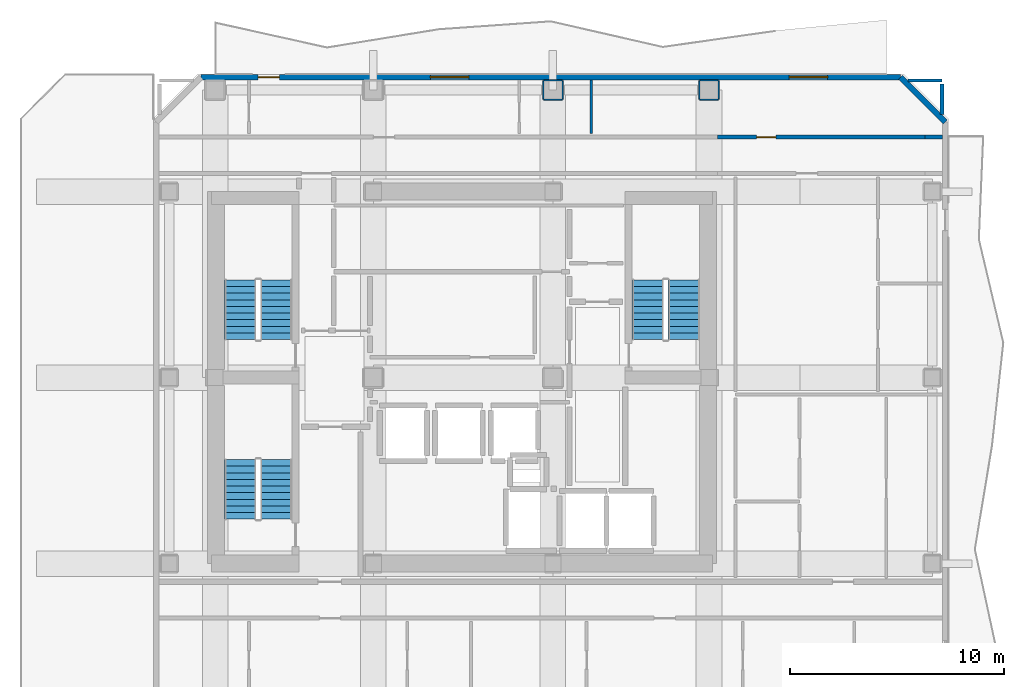
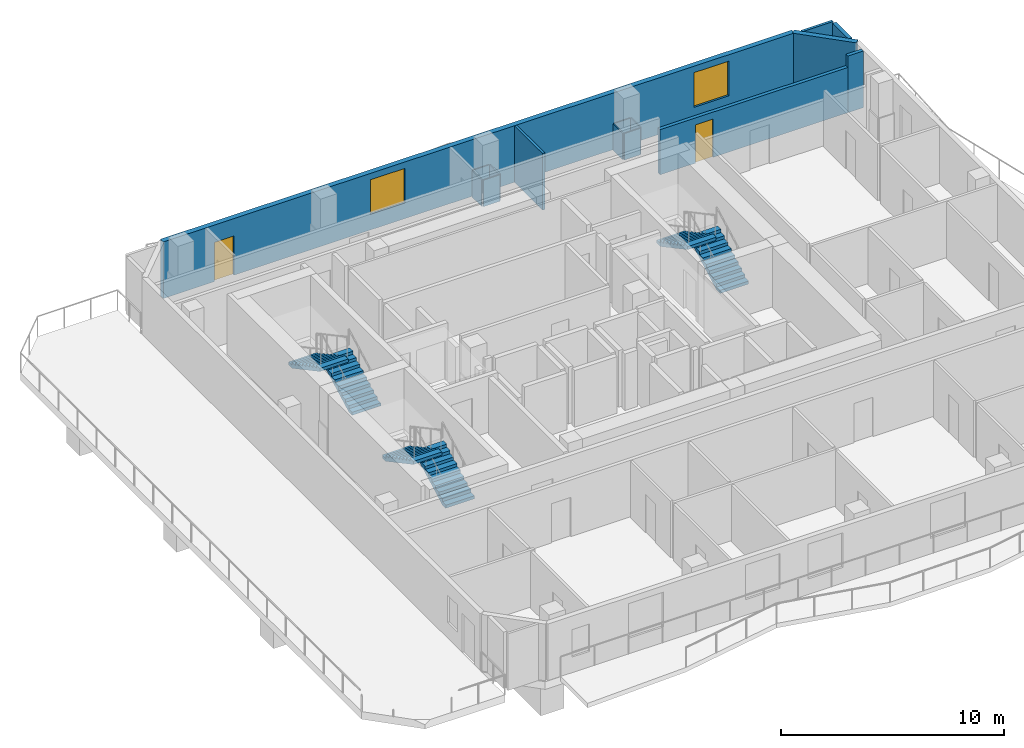
# One storey, part 6 of 10: 15 walls, 6 stair flights, 2 doors, 2 windows, 4 openings, 3 elements without a shape of their own.
"""IFC4 building model written with IfcOpenShell, lengths in metres."""

from ifc_helpers import new_model, si_unit, direction, frame, frame_2d, origin, place, context, subcontext, project, spatial, polyline, rectangle, outline, extrude, material, layer, layer_set, type_object, element, fill, aggregate, save


model = new_model("IFC4")

# Units and contexts
model_context = context("Model", 3, precision=1e-05, world=origin(), true_north=direction((0.0, 1.0)))
body_context = subcontext(model_context, "Body", "Model", "MODEL_VIEW")
ifc_project = project(units=[si_unit("LENGTHUNIT", "METRE"), si_unit("AREAUNIT", "SQUARE_METRE"), si_unit("VOLUMEUNIT", "CUBIC_METRE"), si_unit("PLANEANGLEUNIT", "RADIAN"), si_unit("MASSUNIT", "GRAM", prefix="KILO")], contexts=[model_context])

# Site, building, storey
site_placement = place(None, origin())
site = spatial("IfcSite", under=ifc_project, at=site_placement, CompositionType="ELEMENT")
building_placement = place(site_placement, origin())
building = spatial("IfcBuilding", under=site, at=building_placement, Name="Solanera Arch Residences", CompositionType="ELEMENT")
storey_placement = place(building_placement, frame((0.0, 0.0, 210.080078125)))
storey = spatial("IfcBuildingStorey", under=building, at=storey_placement, Name="L61", CompositionType="ELEMENT", Elevation=210.080078125)

# Walls
ifc_material_1 = material(Name="Fire-Rated Gypsum Stud Partition", Category="gypsum")
ifc_layer_1 = layer(ifc_material_1, 0.06005859375)
ifc_layer_set_1 = layer_set([ifc_layer_1], Name="Fire-Rated Gypsum Stud Partition")
wall_type_1 = type_object("IfcWallType", Name="Column Acoustic Furring Wall 60", PredefinedType="PARTITIONING", material=ifc_layer_set_1)
for number, where, z_axis, x_axis, name in (
    (1, (28.77490234375, 43.693115234375, 0.0), (0.0, 0.0, 1.0), (1.0, 0.0, 0.0), "L61 Column Furring 14S"),
    (2, (28.77490234375, 44.60693359375, 0.0), (0.0, 0.0, 1.0), (1.0, 0.0, 0.0), "L61 Column Furring 14N"),
):
    element("IfcWall", number, at=place(storey_placement, frame(where, z_axis=z_axis, x_axis=x_axis)), inside=storey, type_object=wall_type_1, Name=name, PredefinedType="PARTITIONING", context=body_context, shape_type="SweptSolid", body=[
        extrude(rectangle(XDim=0.85009765625, YDim=0.06005859375, at=frame_2d((0.425048828125, 0.0))), origin(), (0.0, 0.0, 1.0), 1.449951171875),
    ])
for number, where, z_axis, x_axis, name in (
    (3, (28.742919921875, 43.72509765625, 0.0), (0.0, 0.0, 1.0), (0.0, 1.0, 0.0), "L61 Column Furring 14W"),
    (4, (29.656982421875, 43.72509765625, 0.0), (0.0, 0.0, 1.0), (0.0, 1.0, 0.0), "L61 Column Furring 14E"),
):
    element("IfcWall", number, at=place(storey_placement, frame(where, z_axis=z_axis, x_axis=x_axis)), inside=storey, type_object=wall_type_1, Name=name, PredefinedType="PARTITIONING", context=body_context, shape_type="SweptSolid", body=[
        extrude(rectangle(XDim=0.849853515625, YDim=0.06005859375, at=frame_2d((0.4248046875, 0.0))), origin(), (0.0, 0.0, 1.0), 1.449951171875),
    ])
for number, where, z_axis, x_axis, name in (
    (5, (36.074951171875, 43.693115234375, 0.0), (0.0, 0.0, 1.0), (1.0, 0.0, 0.0), "L61 Column Furring 16S"),
    (6, (36.074951171875, 44.60693359375, 0.0), (0.0, 0.0, 1.0), (1.0, 0.0, 0.0), "L61 Column Furring 16N"),
):
    element("IfcWall", number, at=place(storey_placement, frame(where, z_axis=z_axis, x_axis=x_axis)), inside=storey, type_object=wall_type_1, Name=name, PredefinedType="PARTITIONING", context=body_context, shape_type="SweptSolid", body=[
        extrude(rectangle(XDim=0.85009765625, YDim=0.06005859375, at=frame_2d((0.425048828125, 0.0))), origin(), (0.0, 0.0, 1.0), 1.449951171875),
    ])
for number, where, z_axis, x_axis, name in (
    (7, (36.04296875, 43.72509765625, 0.0), (0.0, 0.0, 1.0), (0.0, 1.0, 0.0), "L61 Column Furring 16W"),
    (8, (36.95703125, 43.72509765625, 0.0), (0.0, 0.0, 1.0), (0.0, 1.0, 0.0), "L61 Column Furring 16E"),
):
    element("IfcWall", number, at=place(storey_placement, frame(where, z_axis=z_axis, x_axis=x_axis)), inside=storey, type_object=wall_type_1, Name=name, PredefinedType="PARTITIONING", context=body_context, shape_type="SweptSolid", body=[
        extrude(rectangle(XDim=0.849853515625, YDim=0.06005859375, at=frame_2d((0.4248046875, 0.0))), origin(), (0.0, 0.0, 1.0), 1.449951171875),
    ])

# Wall, opening, door
ifc_material_2 = material(Name="Autoclaved Aerated Concrete Blockwork", Category="masonry")
ifc_layer_2 = layer(ifc_material_2, 0.179931640625)
ifc_layer_set_2 = layer_set([ifc_layer_2], Name="Autoclaved Aerated Concrete Blockwork")
wall_type_2 = type_object("IfcWallType", Name="Corridor Fire Partition 180", PredefinedType="PARTITIONING", material=ifc_layer_set_2)
wall_1_placement = place(storey_placement, frame((36.888916015625, 41.949951171875, 0.0), z_axis=(0.0, 0.0, 1.0), x_axis=(1.0, 0.0, 0.0)))
wall_1 = element("IfcWall", 9, at=wall_1_placement, inside=storey, type_object=wall_type_2, Name="L61 Interior Partition H12 2", PredefinedType="PARTITIONING", context=body_context, shape_type="SweptSolid", body=[
    extrude(rectangle(XDim=9.72216796875, YDim=0.179931640625, at=frame_2d((4.861083984375, 0.0))), origin(), (0.0, 0.0, 1.0), 2.476806640625),
])
opening_1_placement = place(wall_1_placement, frame((1.837890625, 0.0, 0.0)))
opening_1 = element("IfcOpeningElement", 10, at=opening_1_placement, cuts=wall_1, Name="Opening DI-02", PredefinedType="OPENING", context=body_context, shape_type="SweptSolid", body=[
    extrude(rectangle(XDim=0.89990234375, YDim=2.10009765625, at=frame_2d((0.449951171875, 1.050048828125))), frame((0.0, 0.10009765625, 0.0), z_axis=(0.0, -1.0, 0.0), x_axis=(1.0, 0.0, 0.0)), (0.0, 0.0, 1.0), 0.1999),
])
ifc_material_3 = material(Name="Fire-Rated Architectural Hardwood", Category="wood")
door_type_1 = type_object("IfcDoorType", Name="Suite Room Swing Door DI-02", OperationType="NOTDEFINED", PredefinedType="DOOR", material=ifc_material_3)
door_1_placement = place(opening_1_placement, origin())
door_1 = element("IfcDoor", 11, at=door_1_placement, inside=storey, type_object=door_type_1, Name="DR-L61-IN-029", OperationType="SINGLE_SWING_RIGHT", OverallHeight=2.10009765625, OverallWidth=0.89990234375, PredefinedType="DOOR", context=body_context, shape_type="SweptSolid", body=[
    extrude(rectangle(XDim=0.89990234375, YDim=2.10009765625, at=frame_2d((0.449951171875, 1.050048828125))), frame((0.0, 0.02490234375, 0.0), z_axis=(0.0, -1.0, 0.0), x_axis=(1.0, 0.0, 0.0)), (0.0, 0.0, 1.0), 0.050048828125),
])
fill(opening_1, door_1)

# Walls
wall_2_placement = place(storey_placement, frame((46.611083984375, 41.949951171875, 0.0), z_axis=(0.0, 0.0, 1.0), x_axis=(1.0, 0.0, 0.0)))
element("IfcWall", 12, at=wall_2_placement, inside=storey, type_object=wall_type_2, Name="L61 Interior Partition H12 3", PredefinedType="PARTITIONING", context=body_context, shape_type="SweptSolid", body=[
    extrude(rectangle(XDim=0.802001953125, YDim=0.179931640625, at=frame_2d((0.40087890625, 0.0))), origin(), (0.0, 0.0, 1.0), 3.099853515625),
])
wall_3_placement = place(storey_placement, frame((47.39990234375, 43.010986328125, 0.0), z_axis=(0.0, 0.0, 1.0), x_axis=(0.0, 1.0, 0.0)))
element("IfcWall", 13, at=wall_3_placement, inside=storey, type_object=wall_type_2, Name="L61 Interior Partition V10 2", PredefinedType="PARTITIONING", context=body_context, shape_type="SweptSolid", body=[
    extrude(rectangle(XDim=1.4208984375, YDim=0.179931640625, at=frame_2d((0.71044921875, 0.0))), origin(), (0.0, 0.0, 1.0), 3.099853515625),
])

# Wall, openings, door, windows
ifc_material_4 = material(Name="Precast Concrete C35/45", Category="concrete")
ifc_layer_3 = layer(ifc_material_4, 0.260009765625)
ifc_layer_set_3 = layer_set([ifc_layer_3], Name="Precast Concrete C35/45")
wall_type_3 = type_object("IfcWallType", Name="Exterior Wall Precast Masonry-Frame 260", PredefinedType="STANDARD", material=ifc_layer_set_3)
wall_4_placement = place(storey_placement, frame((12.7451171875, 44.7548828125, 0.0), z_axis=(0.0, 0.0, 1.0), x_axis=(1.0, 0.0, 0.0)))
wall_4 = element("IfcWall", 14, at=wall_4_placement, inside=storey, type_object=wall_type_3, Name="L61 Tower Exterior Precast Masonry-Frame Wall N", PredefinedType="STANDARD", context=body_context, shape_type="SweptSolid", body=[
    extrude(rectangle(XDim=32.7099609375, YDim=0.260009765625, at=frame_2d((16.35498046875, 0.0))), origin(), (0.0, 0.0, 1.0), 3.099853515625),
])
opening_2_placement = place(wall_4_placement, frame((2.6650390625, 0.0, 0.0)))
opening_2 = element("IfcOpeningElement", 15, at=opening_2_placement, cuts=wall_4, Name="Opening DB-01", PredefinedType="OPENING", context=body_context, shape_type="SweptSolid", body=[
    extrude(rectangle(XDim=1.0, YDim=2.14990234375, at=frame_2d((0.5, 1.074951171875))), frame((0.0, 0.139892578125, 0.0), z_axis=(0.0, -1.0, 0.0), x_axis=(1.0, 0.0, 0.0)), (0.0, 0.0, 1.0), 0.28),
])
opening_3_placement = place(wall_4_placement, frame((10.72802734375, 0.0, 0.85009765625)))
opening_3 = element("IfcOpeningElement", 16, at=opening_3_placement, cuts=wall_4, Name="Opening W-03", PredefinedType="OPENING", context=body_context, shape_type="SweptSolid", body=[
    extrude(rectangle(XDim=1.800048828125, YDim=1.89990234375, at=frame_2d((0.89990234375, 0.949951171875))), frame((0.0, 0.139892578125, 0.0), z_axis=(0.0, -1.0, 0.0), x_axis=(1.0, 0.0, 0.0)), (0.0, 0.0, 1.0), 0.28),
])
opening_4_placement = place(wall_4_placement, frame((27.5, 0.0, 0.85009765625)))
opening_4 = element("IfcOpeningElement", 17, at=opening_4_placement, cuts=wall_4, Name="Opening W-03", PredefinedType="OPENING", context=body_context, shape_type="SweptSolid", body=[
    extrude(rectangle(XDim=1.800048828125, YDim=1.89990234375, at=frame_2d((0.89990234375, 0.949951171875))), frame((0.0, 0.139892578125, 0.0), z_axis=(0.0, -1.0, 0.0), x_axis=(1.0, 0.0, 0.0)), (0.0, 0.0, 1.0), 0.28),
])
ifc_material_5 = material(Name="Anodised Aluminium Alloy 6063-T6", Category="aluminium")
door_type_2 = type_object("IfcDoorType", Name="Glazed Balcony Swing Door DB-01", OperationType="NOTDEFINED", PredefinedType="DOOR", material=ifc_material_5)
door_2_placement = place(opening_2_placement, origin())
door_2 = element("IfcDoor", 18, at=door_2_placement, inside=storey, type_object=door_type_2, Name="DR-L61-OUT-03", OperationType="SINGLE_SWING_LEFT", OverallHeight=2.14990234375, OverallWidth=1.0, PredefinedType="DOOR", context=body_context, shape_type="SweptSolid", body=[
    extrude(rectangle(XDim=1.0, YDim=2.14990234375, at=frame_2d((0.5, 1.074951171875))), frame((0.0, 0.02490234375, 0.0), z_axis=(0.0, -1.0, 0.0), x_axis=(1.0, 0.0, 0.0)), (0.0, 0.0, 1.0), 0.050048828125),
])
fill(opening_2, door_2)
ifc_material_6 = material(Name="Double Glazed Low-E Laminated Glass", Category="glass")
window_type = type_object("IfcWindowType", Name="Punched Window W-03", PartitioningType="DOUBLE_PANEL_VERTICAL", PredefinedType="WINDOW", material=ifc_material_6)
window_1_placement = place(opening_3_placement, origin())
window_1 = element("IfcWindow", 19, at=window_1_placement, inside=storey, type_object=window_type, Name="L61 6103-LIV Punched Window", OverallHeight=1.89990234375, OverallWidth=1.800048828125, PartitioningType="SINGLE_PANEL", PredefinedType="WINDOW", context=body_context, shape_type="SweptSolid", body=[
    extrude(rectangle(XDim=1.800048828125, YDim=1.89990234375, at=frame_2d((0.89990234375, 0.949951171875))), frame((0.0, 0.030029296875, 0.0), z_axis=(0.0, -1.0, 0.0), x_axis=(1.0, 0.0, 0.0)), (0.0, 0.0, 1.0), 0.06005859375),
])
fill(opening_3, window_1)
window_2_placement = place(opening_4_placement, origin())
window_2 = element("IfcWindow", 20, at=window_2_placement, inside=storey, type_object=window_type, Name="L61 AMN-WIN Punched Window", OverallHeight=1.89990234375, OverallWidth=1.800048828125, PartitioningType="SINGLE_PANEL", PredefinedType="WINDOW", context=body_context, shape_type="SweptSolid", body=[
    extrude(rectangle(XDim=1.800048828125, YDim=1.89990234375, at=frame_2d((0.89990234375, 0.949951171875))), frame((0.0, 0.030029296875, 0.0), z_axis=(0.0, -1.0, 0.0), x_axis=(1.0, 0.0, 0.0)), (0.0, 0.0, 1.0), 0.06005859375),
])
fill(opening_4, window_2)

# Walls
wall_5_placement = place(storey_placement, frame((45.455078125, 44.7548828125, 0.0), z_axis=(0.0, 0.0, 1.0), x_axis=(0.707106781187, -0.707106781187, 0.0)))
element("IfcWall", 21, at=wall_5_placement, inside=storey, type_object=wall_type_3, Name="L61 Tower Exterior Precast Masonry-Frame Wall CH3", PredefinedType="STANDARD", context=body_context, shape_type="SweptSolid", body=[
    extrude(rectangle(XDim=2.9697265625, YDim=0.260009765625, at=frame_2d((1.48486328125, 0.0))), origin(), (0.0, 0.0, 1.0), 3.099853515625),
])
ifc_material_7 = material(Name="Fire-Rated Gypsum Stud Partition", Category="gypsum")
ifc_layer_4 = layer(ifc_material_7, 0.1201171875)
ifc_layer_set_4 = layer_set([ifc_layer_4], Name="Fire-Rated Gypsum Stud Partition")
wall_type_4 = type_object("IfcWallType", Name="Unit Drywall Partition 120", PredefinedType="PARTITIONING", material=ifc_layer_set_4)
wall_6_placement = place(storey_placement, frame((31.001953125, 42.10791015625, 0.0), z_axis=(0.0, 0.0, 1.0), x_axis=(0.0, 1.0, 0.0)))
element("IfcWall", 22, at=wall_6_placement, inside=storey, type_object=wall_type_4, Name="L61 Interior Partition V20", PredefinedType="PARTITIONING", context=body_context, shape_type="SweptSolid", body=[
    extrude(rectangle(XDim=2.505126953125, YDim=0.1201171875, at=frame_2d((1.25244140625, 0.0))), origin(), (0.0, 0.0, 1.0), 3.099853515625),
])
ifc_material_8 = material(Name="Autoclaved Aerated Concrete Blockwork", Category="masonry")
ifc_layer_5 = layer(ifc_material_8, 0.139892578125)
ifc_layer_set_5 = layer_set([ifc_layer_5], Name="Autoclaved Aerated Concrete Blockwork")
wall_type_5 = type_object("IfcWallType", Name="Wet-Room Partition 140", PredefinedType="PARTITIONING", material=ifc_layer_set_5)
wall_7_placement = place(storey_placement, frame((45.81103515625, 44.60009765625, 0.0), z_axis=(0.0, 0.0, 1.0), x_axis=(1.0, 0.0, 0.0)))
element("IfcWall", 23, at=wall_7_placement, inside=storey, type_object=wall_type_5, Name="L61 Interior Partition H19 2", PredefinedType="PARTITIONING", context=body_context, shape_type="SweptSolid", body=[
    extrude(rectangle(XDim=1.5888671875, YDim=0.139892578125, at=frame_2d((0.79443359375, 0.0))), origin(), (0.0, 0.0, 1.0), 3.099853515625),
])

# Stair, stair flights
ifc_material_9 = material(Name="Concrete C40/50 (f'c = 45 MPa)", Category="concrete")
stair_type = type_object("IfcStairType", Name="Tower Dogleg Exit Stair 1480", PredefinedType="HALF_TURN_STAIR", material=ifc_material_9)
stair_1_placement = place(storey_placement, origin())
stair_1 = element("IfcStair", 24, at=stair_1_placement, inside=storey, type_object=stair_type, Name="L61 Tower Core Exit Stair 1", PredefinedType="HALF_TURN_STAIR")
ifc_material_10 = material(Name="Concrete C40/50 (f'c = 45 MPa)", Category="concrete")
stair_flight_type = type_object("IfcStairFlightType", Name="Tower Precast Stair Flight 1480", PredefinedType="STRAIGHT", material=ifc_material_10)
stair_flight_1_placement = place(storey_placement, frame((16.260009765625, 32.47998046875, 0.0), z_axis=(0.0, 0.0, 1.0), x_axis=(0.0, 1.0, 0.0)))
stair_flight_1 = element("IfcStairFlight", 25, at=stair_flight_1_placement, type_object=stair_flight_type, Name="ST-T1 flight 1", NumberOfRisers=10, NumberOfTreads=9, PredefinedType="STRAIGHT", RiserHeight=0.166, TreadLength=0.31, context=body_context, shape_type="SweptSolid", body=[
    extrude(outline(polyline([(0.0, 0.0), (0.0, 0.166015625), (0.31005859375, 0.166015625), (0.31005859375, 0.33203125), (0.6201171875, 0.33203125), (0.6201171875, 0.498046875), (0.929931640625, 0.498046875), (0.929931640625, 0.6640625), (1.239990234375, 0.6640625), (1.239990234375, 0.830078125), (1.550048828125, 0.830078125), (1.550048828125, 0.99609375), (1.860107421875, 0.99609375), (1.860107421875, 1.162109375), (2.169921875, 1.162109375), (2.169921875, 1.327880859375), (2.47998046875, 1.327880859375), (2.47998046875, 1.493896484375), (2.7900390625, 1.493896484375), (2.7900390625, 1.659912109375), (2.7900390625, 1.323974609375), (0.317626953125, 0.0), (0.0, 0.0)])), frame((0.0, 0.739990234375, 0.0), z_axis=(0.0, -1.0, 0.0), x_axis=(1.0, 0.0, 0.0)), (0.0, 0.0, 1.0), 1.47998046875),
])
stair_flight_2_placement = place(storey_placement, frame((14.580078125, 35.27001953125, 1.659912109375), z_axis=(0.0, 0.0, 1.0), x_axis=(0.0, -1.0, 0.0)))
stair_flight_2 = element("IfcStairFlight", 26, at=stair_flight_2_placement, type_object=stair_flight_type, Name="ST-T1 flight 2", NumberOfRisers=10, NumberOfTreads=9, PredefinedType="STRAIGHT", RiserHeight=0.166, TreadLength=0.31, context=body_context, shape_type="SweptSolid", body=[
    extrude(outline(polyline([(0.0, 0.0), (0.0, 0.166015625), (0.31005859375, 0.166015625), (0.31005859375, 0.33203125), (0.6201171875, 0.33203125), (0.6201171875, 0.498046875), (0.929931640625, 0.498046875), (0.929931640625, 0.6640625), (1.239990234375, 0.6640625), (1.239990234375, 0.830078125), (1.550048828125, 0.830078125), (1.550048828125, 0.99609375), (1.860107421875, 0.99609375), (1.860107421875, 1.162109375), (2.169921875, 1.162109375), (2.169921875, 1.327880859375), (2.47998046875, 1.327880859375), (2.47998046875, 1.493896484375), (2.7900390625, 1.493896484375), (2.7900390625, 1.659912109375), (2.7900390625, 1.323974609375), (0.317626953125, 0.0), (0.0, 0.0)])), frame((0.0, 0.739990234375, 0.0), z_axis=(0.0, -1.0, 0.0), x_axis=(1.0, 0.0, 0.0)), (0.0, 0.0, 1.0), 1.47998046875),
])
aggregate(stair_1, [stair_flight_1, stair_flight_2])

stair_2_placement = place(storey_placement, origin())
stair_2 = element("IfcStair", 27, at=stair_2_placement, inside=storey, type_object=stair_type, Name="L61 Tower Core Exit Stair 2", PredefinedType="HALF_TURN_STAIR")
stair_flight_3_placement = place(storey_placement, frame((35.320068359375, 32.47998046875, 0.0), z_axis=(0.0, 0.0, 1.0), x_axis=(0.0, 1.0, 0.0)))
stair_flight_3 = element("IfcStairFlight", 28, at=stair_flight_3_placement, type_object=stair_flight_type, Name="ST-T2 flight 1", NumberOfRisers=10, NumberOfTreads=9, PredefinedType="STRAIGHT", RiserHeight=0.166, TreadLength=0.31, context=body_context, shape_type="SweptSolid", body=[
    extrude(outline(polyline([(0.0, 0.0), (0.0, 0.166015625), (0.31005859375, 0.166015625), (0.31005859375, 0.33203125), (0.6201171875, 0.33203125), (0.6201171875, 0.498046875), (0.929931640625, 0.498046875), (0.929931640625, 0.6640625), (1.239990234375, 0.6640625), (1.239990234375, 0.830078125), (1.550048828125, 0.830078125), (1.550048828125, 0.99609375), (1.860107421875, 0.99609375), (1.860107421875, 1.162109375), (2.169921875, 1.162109375), (2.169921875, 1.327880859375), (2.47998046875, 1.327880859375), (2.47998046875, 1.493896484375), (2.7900390625, 1.493896484375), (2.7900390625, 1.659912109375), (2.7900390625, 1.323974609375), (0.317626953125, 0.0), (0.0, 0.0)])), frame((0.0, 0.739990234375, 0.0), z_axis=(0.0, -1.0, 0.0), x_axis=(1.0, 0.0, 0.0)), (0.0, 0.0, 1.0), 1.47998046875),
])
stair_flight_4_placement = place(storey_placement, frame((33.639892578125, 35.27001953125, 1.659912109375), z_axis=(0.0, 0.0, 1.0), x_axis=(0.0, -1.0, 0.0)))
stair_flight_4 = element("IfcStairFlight", 29, at=stair_flight_4_placement, type_object=stair_flight_type, Name="ST-T2 flight 2", NumberOfRisers=10, NumberOfTreads=9, PredefinedType="STRAIGHT", RiserHeight=0.166, TreadLength=0.31, context=body_context, shape_type="SweptSolid", body=[
    extrude(outline(polyline([(0.0, 0.0), (0.0, 0.166015625), (0.31005859375, 0.166015625), (0.31005859375, 0.33203125), (0.6201171875, 0.33203125), (0.6201171875, 0.498046875), (0.929931640625, 0.498046875), (0.929931640625, 0.6640625), (1.239990234375, 0.6640625), (1.239990234375, 0.830078125), (1.550048828125, 0.830078125), (1.550048828125, 0.99609375), (1.860107421875, 0.99609375), (1.860107421875, 1.162109375), (2.169921875, 1.162109375), (2.169921875, 1.327880859375), (2.47998046875, 1.327880859375), (2.47998046875, 1.493896484375), (2.7900390625, 1.493896484375), (2.7900390625, 1.659912109375), (2.7900390625, 1.323974609375), (0.317626953125, 0.0), (0.0, 0.0)])), frame((0.0, 0.739990234375, 0.0), z_axis=(0.0, -1.0, 0.0), x_axis=(1.0, 0.0, 0.0)), (0.0, 0.0, 1.0), 1.47998046875),
])
aggregate(stair_2, [stair_flight_3, stair_flight_4])

stair_3_placement = place(storey_placement, origin())
stair_3 = element("IfcStair", 30, at=stair_3_placement, inside=storey, type_object=stair_type, Name="L61 Tower Core Exit Stair 3", PredefinedType="HALF_TURN_STAIR")
stair_flight_5_placement = place(storey_placement, frame((16.260009765625, 24.080078125, 0.0), z_axis=(0.0, 0.0, 1.0), x_axis=(0.0, 1.0, 0.0)))
stair_flight_5 = element("IfcStairFlight", 31, at=stair_flight_5_placement, type_object=stair_flight_type, Name="ST-T3 flight 1", NumberOfRisers=10, NumberOfTreads=9, PredefinedType="STRAIGHT", RiserHeight=0.166, TreadLength=0.31, context=body_context, shape_type="SweptSolid", body=[
    extrude(outline(polyline([(0.0, 0.0), (0.0, 0.166015625), (0.31005859375, 0.166015625), (0.31005859375, 0.33203125), (0.6201171875, 0.33203125), (0.6201171875, 0.498046875), (0.929931640625, 0.498046875), (0.929931640625, 0.6640625), (1.239990234375, 0.6640625), (1.239990234375, 0.830078125), (1.550048828125, 0.830078125), (1.550048828125, 0.99609375), (1.860107421875, 0.99609375), (1.860107421875, 1.162109375), (2.169921875, 1.162109375), (2.169921875, 1.327880859375), (2.47998046875, 1.327880859375), (2.47998046875, 1.493896484375), (2.7900390625, 1.493896484375), (2.7900390625, 1.659912109375), (2.7900390625, 1.323974609375), (0.317626953125, 0.0), (0.0, 0.0)])), frame((0.0, 0.739990234375, 0.0), z_axis=(0.0, -1.0, 0.0), x_axis=(1.0, 0.0, 0.0)), (0.0, 0.0, 1.0), 1.47998046875),
])
stair_flight_6_placement = place(storey_placement, frame((14.580078125, 26.8701171875, 1.659912109375), z_axis=(0.0, 0.0, 1.0), x_axis=(0.0, -1.0, 0.0)))
stair_flight_6 = element("IfcStairFlight", 32, at=stair_flight_6_placement, type_object=stair_flight_type, Name="ST-T3 flight 2", NumberOfRisers=10, NumberOfTreads=9, PredefinedType="STRAIGHT", RiserHeight=0.166, TreadLength=0.31, context=body_context, shape_type="SweptSolid", body=[
    extrude(outline(polyline([(0.0, 0.0), (0.0, 0.166015625), (0.31005859375, 0.166015625), (0.31005859375, 0.33203125), (0.6201171875, 0.33203125), (0.6201171875, 0.498046875), (0.929931640625, 0.498046875), (0.929931640625, 0.6640625), (1.239990234375, 0.6640625), (1.239990234375, 0.830078125), (1.550048828125, 0.830078125), (1.550048828125, 0.99609375), (1.860107421875, 0.99609375), (1.860107421875, 1.162109375), (2.169921875, 1.162109375), (2.169921875, 1.327880859375), (2.47998046875, 1.327880859375), (2.47998046875, 1.493896484375), (2.7900390625, 1.493896484375), (2.7900390625, 1.659912109375), (2.7900390625, 1.323974609375), (0.317626953125, 0.0), (0.0, 0.0)])), frame((0.0, 0.739990234375, 0.0), z_axis=(0.0, -1.0, 0.0), x_axis=(1.0, 0.0, 0.0)), (0.0, 0.0, 1.0), 1.47998046875),
])
aggregate(stair_3, [stair_flight_5, stair_flight_6])

save(model, "model.ifc")
